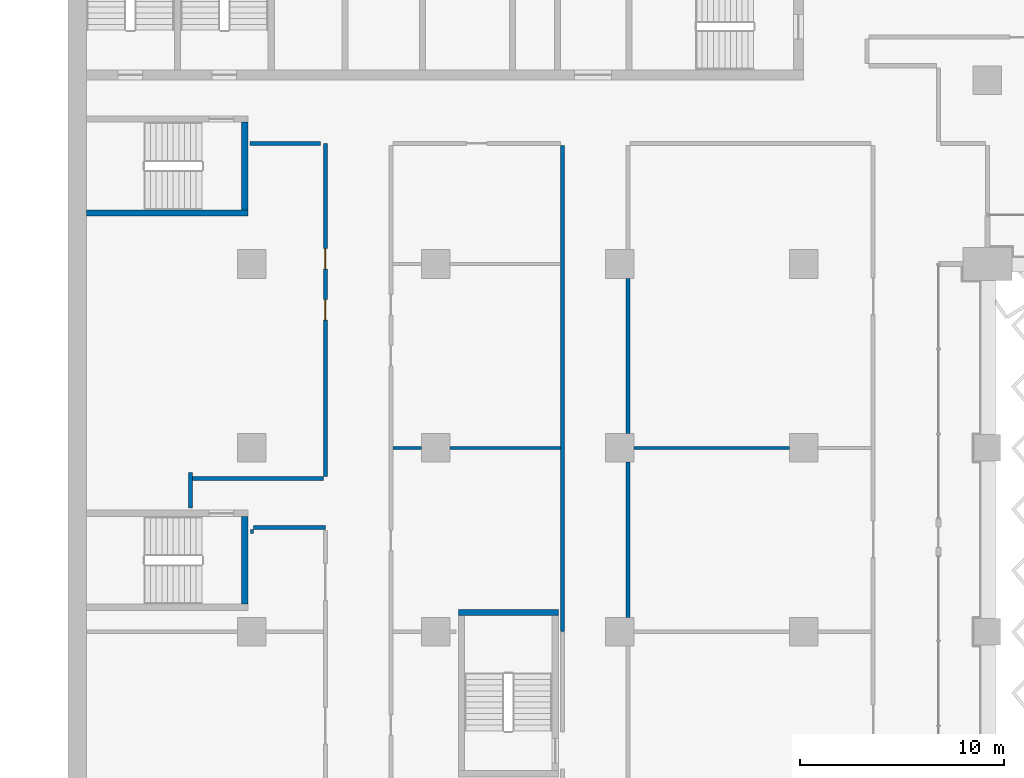
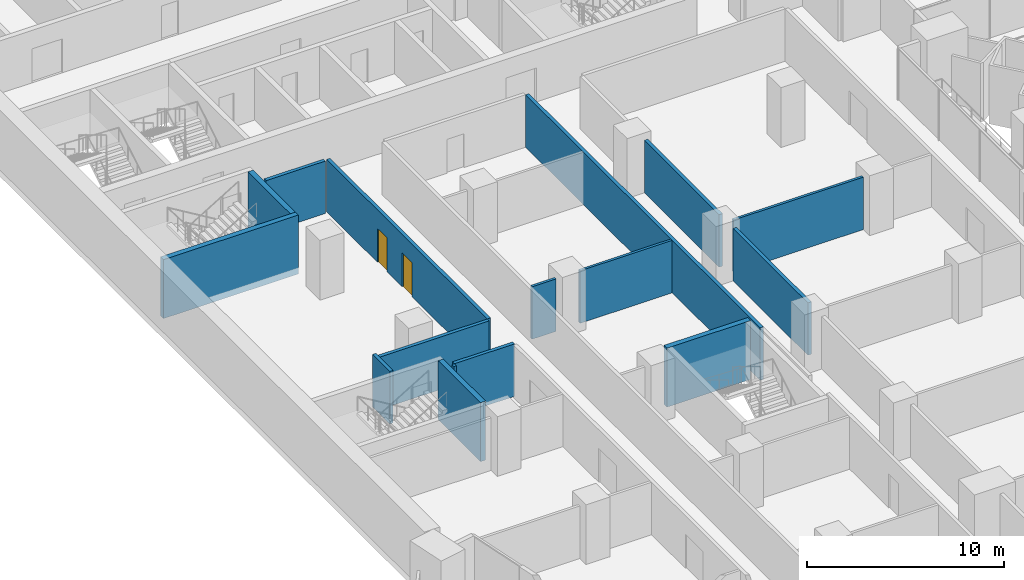
# One storey, part 11 of 28: 16 walls, 2 doors, 2 openings.
"""IFC4 building model written with IfcOpenShell, lengths in metres."""

import ifcopenshell
import ifcopenshell.guid

model = None  # the IFC model being written
_history = None  # IfcOwnerHistory: only IFC2X3 demands one
_inside = {}  # id of a spatial element -> (the spatial element, [elements in it])
_under = {}  # id of a project, library or spatial element -> (it, [spatial elements below it])
_declared = {}  # id of a project -> (the project, [libraries it declares])
_typed = {}  # id of a type object -> (the type object, [elements of that type])
_made_of = {}  # id of a material, layer set ... -> (it, [elements and type objects made of it])


def new_model(schema):
    """Start an empty IFC model of exactly this schema.

    Asked for "IFC4X3", IfcOpenShell would pick the latest addendum, in which some entities
    have other attributes; the version numbers below select the first issue.
    IFC2X3 requires an IfcOwnerHistory on every rooted entity: one is made here for all.
    """
    global model, _history
    if schema == "IFC4X3":
        model = ifcopenshell.file(schema_version=(4, 3, 0, 0))
    else:
        model = ifcopenshell.file(schema=schema)
    _inside.clear()
    _under.clear()
    _declared.clear()
    _typed.clear()
    _made_of.clear()
    _history = None
    if model.schema == "IFC2X3":
        org = make("IfcOrganization", Name="unknown")
        user = make(
            "IfcPersonAndOrganization",
            ThePerson=make("IfcPerson", FamilyName="unknown"),
            TheOrganization=org,
        )
        app = make(
            "IfcApplication",
            ApplicationDeveloper=org,
            Version="unknown",
            ApplicationFullName="unknown",
            ApplicationIdentifier="unknown",
        )
        _history = make(
            "IfcOwnerHistory",
            OwningUser=user,
            OwningApplication=app,
            ChangeAction="ADDED",
            CreationDate=0,
        )
    return model


def make(cls, **values):
    """One entity of the class cls with the attributes given. An attribute that is None is left unset."""
    return model.create_entity(
        cls, **{name: value for name, value in values.items() if value is not None}
    )


def rooted(cls, **values):
    """An entity with a GlobalId (a new one), such as an element, a storey or a relation."""
    return make(cls, GlobalId=ifcopenshell.guid.new(), OwnerHistory=_history, **values)


def si_unit(unit_type, name, prefix=None):
    """IfcSIUnit, for example si_unit("LENGTHUNIT", "METRE", prefix="MILLI")."""
    return make("IfcSIUnit", UnitType=unit_type, Prefix=prefix, Name=name)


def assignment(units):
    """IfcUnitAssignment: the units of a project."""
    return None if units is None else make("IfcUnitAssignment", Units=units)


def point(xyz):
    """IfcCartesianPoint."""
    return None if xyz is None else make("IfcCartesianPoint", Coordinates=xyz)


def direction(xyz):
    """IfcDirection."""
    return None if xyz is None else make("IfcDirection", DirectionRatios=xyz)


def frame(location, z_axis=None, x_axis=None):
    """IfcAxis2Placement3D, a coordinate frame: its origin and axes. An axis left out is left unset."""
    return make(
        "IfcAxis2Placement3D",
        Location=point(location),
        Axis=direction(z_axis),
        RefDirection=direction(x_axis),
    )


def frame_2d(location, x_axis=None):
    """IfcAxis2Placement2D, a coordinate frame in the plane: its origin and x axis."""
    return make(
        "IfcAxis2Placement2D", Location=point(location), RefDirection=direction(x_axis)
    )


def origin():
    """The frame at (0, 0, 0) with its axes left unset."""
    return frame((0.0, 0.0, 0.0))


def place(relative_to, where):
    """IfcLocalPlacement: puts the frame where relative to a parent placement (None: the world)."""
    return make(
        "IfcLocalPlacement", PlacementRelTo=relative_to, RelativePlacement=where
    )


def context(
    kind, dimensions, precision=None, world=None, true_north=None, identifier=None
):
    """IfcGeometricRepresentationContext, for example the 3D "Model" context."""
    return make(
        "IfcGeometricRepresentationContext",
        ContextIdentifier=identifier,
        ContextType=kind,
        CoordinateSpaceDimension=dimensions,
        Precision=precision,
        WorldCoordinateSystem=world,
        TrueNorth=true_north,
    )


def subcontext(parent, identifier, kind, view, scale=None):
    """IfcGeometricRepresentationSubContext, for example "Body" below "Model"."""
    return make(
        "IfcGeometricRepresentationSubContext",
        ContextIdentifier=identifier,
        ContextType=kind,
        ParentContext=parent,
        TargetScale=scale,
        TargetView=view,
    )


def project(units=None, contexts=None):
    """IfcProject with its units and contexts."""
    return rooted(
        "IfcProject",
        Name="project",
        RepresentationContexts=contexts,
        UnitsInContext=assignment(units),
    )


def spatial(cls, under=None, at=None, **own):
    """A site, building, storey or space (cls), placed at a placement, below another one or the project."""
    s = rooted(cls, ObjectPlacement=at, **own)
    if under is not None:
        _under.setdefault(under.id(), (under, []))[1].append(s)
    return s


def profile(cls, at=None, kind="AREA", **sizes):
    """A parametric profile (cls). Its sizes go by their IFC names, for example OverallWidth=200.0."""
    return make(cls, ProfileType=kind, Position=at, **sizes)


def rectangle(**sizes):
    """IfcRectangleProfileDef."""
    return profile("IfcRectangleProfileDef", **sizes)


def extrude(swept, where, along, depth):
    """IfcExtrudedAreaSolid: the profile swept, set in the frame where, extruded along a direction by depth."""
    return make(
        "IfcExtrudedAreaSolid",
        SweptArea=swept,
        Position=where,
        ExtrudedDirection=direction(along),
        Depth=depth,
    )


def shape(context_of_items, identifier, shape_type, items):
    """IfcShapeRepresentation: the items that make up one representation, for example the "Body"."""
    return make(
        "IfcShapeRepresentation",
        ContextOfItems=context_of_items,
        RepresentationIdentifier=identifier,
        RepresentationType=shape_type,
        Items=items,
    )


def material(Name=None, Category=None):
    """IfcMaterial."""
    return make("IfcMaterial", Name=Name, Category=Category)


def layer(
    of_material, thickness, ventilated=None, Name=None, Category=None, Priority=None
):
    """IfcMaterialLayer: one layer of a wall or slab, of a material (None: an air gap)."""
    return make(
        "IfcMaterialLayer",
        Material=of_material,
        LayerThickness=thickness,
        IsVentilated=ventilated,
        Name=Name,
        Category=Category,
        Priority=Priority,
    )


def layer_set(layers, Name=None):
    """IfcMaterialLayerSet."""
    return make("IfcMaterialLayerSet", MaterialLayers=layers, LayerSetName=Name)


def made_of(thing, what):
    """Note that an element or type object is made of a material, layer set ...; save() writes the relation."""
    if what is not None:
        _made_of.setdefault(what.id(), (what, []))[1].append(thing)
    return thing


def type_object(cls, material=None, **own):
    """A type object (cls), such as IfcWallType, which elements share."""
    return made_of(rooted(cls, **own), material)


def element(
    cls,
    number,
    at=None,
    inside=None,
    cuts=None,
    type_object=None,
    material=None,
    context=None,
    identifier="Body",
    shape_type=None,
    held_by="IfcProductDefinitionShape",
    body=None,
    shapes=None,
    **own,
):
    """One element of the class cls, such as IfcWall. Its Tag is "e" and its number.

    at: its placement. inside: the storey or other place that contains it. cuts: it is an
    opening in that element (IfcRelVoidsElement). A single representation is given by context,
    identifier, shape_type and body (its items); several are given by shapes. held_by: the class
    of the entity that holds the representations. save() writes the other relations.
    """
    e = rooted(cls, Tag="e%d" % number, ObjectPlacement=at, **own)
    if body is not None:
        shapes = [shape(context, identifier, shape_type, body)]
    if shapes is not None:
        e.Representation = make(held_by, Representations=shapes)
    if inside is not None:
        _inside.setdefault(inside.id(), (inside, []))[1].append(e)
    if cuts is not None:
        rooted(
            "IfcRelVoidsElement", RelatingBuildingElement=cuts, RelatedOpeningElement=e
        )
    if type_object is not None:
        _typed.setdefault(type_object.id(), (type_object, []))[1].append(e)
    return made_of(e, material)


def fill(opening, filler):
    """IfcRelFillsElement: the door or window that sits in an opening."""
    return rooted(
        "IfcRelFillsElement",
        RelatingOpeningElement=opening,
        RelatedBuildingElement=filler,
    )


def aggregate(whole, parts):
    """IfcRelAggregates: a whole, such as a stair, and the parts it consists of."""
    return rooted("IfcRelAggregates", RelatingObject=whole, RelatedObjects=parts)


def save(model, path):
    """Write the relations noted so far, then the file.

    IfcRelAggregates (storeys below a building ...), IfcRelContainedInSpatialStructure (elements
    in a storey), IfcRelDefinesByType, IfcRelAssociatesMaterial and IfcRelDeclares: one each for
    every whole, place, type object, material and project.
    """
    for whole, parts in _under.values():
        aggregate(whole, parts)
    for where, things in _inside.values():
        rooted(
            "IfcRelContainedInSpatialStructure",
            RelatedElements=things,
            RelatingStructure=where,
        )
    for kind, things in _typed.values():
        rooted("IfcRelDefinesByType", RelatedObjects=things, RelatingType=kind)
    for what, things in _made_of.values():
        rooted("IfcRelAssociatesMaterial", RelatedObjects=things, RelatingMaterial=what)
    for by, libraries in _declared.values():
        rooted("IfcRelDeclares", RelatingContext=by, RelatedDefinitions=libraries)
    model.write(path)


model = new_model("IFC4")

# Units and contexts
model_context = context("Model", 3, precision=1e-05, world=origin(), true_north=direction((0.0, 1.0)))
body_context = subcontext(model_context, "Body", "Model", "MODEL_VIEW")
ifc_project = project(units=[si_unit("LENGTHUNIT", "METRE"), si_unit("AREAUNIT", "SQUARE_METRE"), si_unit("VOLUMEUNIT", "CUBIC_METRE"), si_unit("PLANEANGLEUNIT", "RADIAN"), si_unit("MASSUNIT", "GRAM", prefix="KILO")], contexts=[model_context])

# Site, building, storey
site_placement = place(None, origin())
site = spatial("IfcSite", under=ifc_project, at=site_placement, CompositionType="ELEMENT")
building_placement = place(site_placement, origin())
building = spatial("IfcBuilding", under=site, at=building_placement, Name="Hunhe Ridgeline Campus", CompositionType="ELEMENT")
storey_placement = place(building_placement, frame((0.0, 0.0, 76.5)))
storey = spatial("IfcBuildingStorey", under=building, at=storey_placement, Name="L18", CompositionType="ELEMENT", Elevation=76.5)

# Walls
ifc_material_1 = material(Name="Gypsum board partition")
ifc_layer_1 = layer(ifc_material_1, 0.199951171875)
ifc_layer_set_1 = layer_set([ifc_layer_1], Name="Corridor partition 200 gypsum board on steel studs")
wall_type_1 = type_object("IfcWallType", Name="Corridor partition 200 gypsum board on steel studs", PredefinedType="PARTITIONING", material=ifc_layer_set_1)
wall_1_placement = place(storey_placement, frame((12.60009765625, 41.10009765625, 0.0), z_axis=(0.0, 0.0, 1.0), x_axis=(-1.0, 0.0, 0.0)))
element("IfcWall", 1, at=wall_1_placement, inside=storey, type_object=wall_type_1, Name="F-L18-wall-020", PredefinedType="PARTITIONING", context=body_context, shape_type="SweptSolid", body=[
    extrude(rectangle(XDim=3.525146484375, YDim=0.199951171875, at=frame_2d((1.7626953125, 0.0))), origin(), (0.0, 0.0, 1.0), 3.25),
])
wall_2_placement = place(storey_placement, frame((6.10009765625, 43.5, 0.0), z_axis=(0.0, 0.0, 1.0), x_axis=(1.0, 0.0, 0.0)))
element("IfcWall", 2, at=wall_2_placement, inside=storey, type_object=wall_type_1, Name="F-L18-wall-021", PredefinedType="PARTITIONING", context=body_context, shape_type="SweptSolid", body=[
    extrude(rectangle(XDim=6.39990234375, YDim=0.199951171875, at=frame_2d((3.199951171875, 0.0))), origin(), (0.0, 0.0, 1.0), 3.25),
])
wall_3_placement = place(storey_placement, frame((12.365234375, 59.89990234375, 0.0), z_axis=(0.0, 0.0, 1.0), x_axis=(-1.0, 0.0, 0.0)))
element("IfcWall", 3, at=wall_3_placement, inside=storey, type_object=wall_type_1, Name="F-L18-wall-028", PredefinedType="PARTITIONING", context=body_context, shape_type="SweptSolid", body=[
    extrude(rectangle(XDim=3.461181640625, YDim=0.199951171875, at=frame_2d((1.73046875, 0.0))), origin(), (0.0, 0.0, 1.0), 3.25),
])
wall_4_placement = place(storey_placement, frame((6.0, 42.053955078125, 0.0), z_axis=(0.0, 0.0, 1.0), x_axis=(0.0, 1.0, 0.0)))
element("IfcWall", 4, at=wall_4_placement, inside=storey, type_object=wall_type_1, Name="F-L18-wall-045", PredefinedType="PARTITIONING", context=body_context, shape_type="SweptSolid", body=[
    extrude(rectangle(XDim=1.74609375, YDim=0.199951171875, at=frame_2d((0.873046875, 0.0))), origin(), (0.0, 0.0, 1.0), 3.25),
])

# Wall, openings, doors
wall_5_placement = place(storey_placement, frame((12.60009765625, 43.60009765625, 0.0), z_axis=(0.0, 0.0, 1.0), x_axis=(0.0, 1.0, 0.0)))
wall_5 = element("IfcWall", 5, at=wall_5_placement, inside=storey, type_object=wall_type_1, Name="F-L18-wall-048", PredefinedType="PARTITIONING", context=body_context, shape_type="SweptSolid", body=[
    extrude(rectangle(XDim=16.2998046875, YDim=0.199951171875, at=frame_2d((8.14990234375, 0.0))), origin(), (0.0, 0.0, 1.0), 3.25),
])
opening_1_placement = place(wall_5_placement, frame((7.64990234375, 0.0, 0.0)))
opening_1 = element("IfcOpeningElement", 6, at=opening_1_placement, cuts=wall_5, Name="Opening RD1-015", PredefinedType="OPENING", context=body_context, shape_type="SweptSolid", body=[
    extrude(rectangle(XDim=1.0, YDim=2.10009765625, at=frame_2d((0.5, 1.050048828125))), frame((0.0, 0.10009765625, 0.0), z_axis=(0.0, -1.0, 0.0), x_axis=(1.0, 0.0, 0.0)), (0.0, 0.0, 1.0), 0.199951171875),
])
opening_2_placement = place(wall_5_placement, frame((10.14990234375, 0.0, 0.0)))
opening_2 = element("IfcOpeningElement", 7, at=opening_2_placement, cuts=wall_5, Name="Opening RD1-018", PredefinedType="OPENING", context=body_context, shape_type="SweptSolid", body=[
    extrude(rectangle(XDim=1.0, YDim=2.10009765625, at=frame_2d((0.5, 1.050048828125))), frame((0.0, 0.10009765625, 0.0), z_axis=(0.0, -1.0, 0.0), x_axis=(1.0, 0.0, 0.0)), (0.0, 0.0, 1.0), 0.199951171875),
])
ifc_material_2 = material(Name="Timber door leaf", Category="wood")
door_type = type_object("IfcDoorType", Name="Single fire door 1000x2100 timber FD60", OperationType="NOTDEFINED", PredefinedType="DOOR", material=ifc_material_2)
door_1_placement = place(opening_1_placement, frame((1.0, 0.0, 0.0), z_axis=(0.0, 0.0, 1.0), x_axis=(-1.0, 0.0, 0.0)))
door_1 = element("IfcDoor", 8, at=door_1_placement, inside=storey, type_object=door_type, Name="F-L18-door-015", OperationType="SINGLE_SWING_RIGHT", OverallHeight=2.10009765625, OverallWidth=1.0, PredefinedType="DOOR", context=body_context, shape_type="SweptSolid", body=[
    extrude(rectangle(XDim=1.0, YDim=2.10009765625, at=frame_2d((0.5, 1.050048828125))), frame((0.0, 0.02490234375, 0.0), z_axis=(0.0, -1.0, 0.0), x_axis=(1.0, 0.0, 0.0)), (0.0, 0.0, 1.0), 0.050048828125),
])
fill(opening_1, door_1)
door_2_placement = place(opening_2_placement, frame((1.0, 0.0, 0.0), z_axis=(0.0, 0.0, 1.0), x_axis=(-1.0, 0.0, 0.0)))
door_2 = element("IfcDoor", 9, at=door_2_placement, inside=storey, type_object=door_type, Name="F-L18-door-018", OperationType="SINGLE_SWING_LEFT", OverallHeight=2.10009765625, OverallWidth=1.0, PredefinedType="DOOR", context=body_context, shape_type="SweptSolid", body=[
    extrude(rectangle(XDim=1.0, YDim=2.10009765625, at=frame_2d((0.5, 1.050048828125))), frame((0.0, 0.02490234375, 0.0), z_axis=(0.0, -1.0, 0.0), x_axis=(1.0, 0.0, 0.0)), (0.0, 0.0, 1.0), 0.050048828125),
])
fill(opening_2, door_2)

# Walls
wall_6_placement = place(storey_placement, frame((24.199951171875, 36.0, 0.0), z_axis=(0.0, 0.0, 1.0), x_axis=(0.0, 1.0, 0.0)))
element("IfcWall", 10, at=wall_6_placement, inside=storey, type_object=wall_type_1, Name="F-L18-wall-052", PredefinedType="PARTITIONING", context=body_context, shape_type="SweptSolid", body=[
    extrude(rectangle(XDim=23.800048828125, YDim=0.199951171875, at=frame_2d((11.89990234375, 0.0))), origin(), (0.0, 0.0, 1.0), 3.25),
])
for number, where, z_axis, x_axis, name in (
    (11, (27.39990234375, 44.300048828125, 0.0), (0.0, 0.0, 1.0), (0.0, -1.0, 0.0), "F-L18-wall-057"),
    (12, (27.39990234375, 53.300048828125, 0.0), (0.0, 0.0, 1.0), (0.0, -1.0, 0.0), "F-L18-wall-058"),
):
    element("IfcWall", number, at=place(storey_placement, frame(where, z_axis=z_axis, x_axis=x_axis)), inside=storey, type_object=wall_type_1, Name=name, PredefinedType="PARTITIONING", context=body_context, shape_type="SweptSolid", body=[
        extrude(rectangle(XDim=7.60009765625, YDim=0.199951171875, at=frame_2d((3.800048828125, 0.0))), origin(), (0.0, 0.0, 1.0), 3.25),
    ])
ifc_layer_2 = layer(ifc_material_1, 0.14990234375)
ifc_layer_set_2 = layer_set([ifc_layer_2], Name="Room partition 150 gypsum board on steel studs")
wall_type_2 = type_object("IfcWallType", Name="Room partition 150 gypsum board on steel studs", PredefinedType="PARTITIONING", material=ifc_layer_set_2)
wall_7_placement = place(storey_placement, frame((15.89990234375, 45.0, 0.0), z_axis=(0.0, 0.0, 1.0), x_axis=(1.0, 0.0, 0.0)))
element("IfcWall", 13, at=wall_7_placement, inside=storey, type_object=wall_type_2, Name="F-L18-wall-022", PredefinedType="PARTITIONING", context=body_context, shape_type="SweptSolid", body=[
    extrude(rectangle(XDim=1.400146484375, YDim=0.14990234375, at=frame_2d((0.7001953125, 0.0))), origin(), (0.0, 0.0, 1.0), 3.25),
])
wall_8_placement = place(storey_placement, frame((18.699951171875, 45.0, 0.0), z_axis=(0.0, 0.0, 1.0), x_axis=(1.0, 0.0, 0.0)))
element("IfcWall", 14, at=wall_8_placement, inside=storey, type_object=wall_type_2, Name="F-L18-wall-023", PredefinedType="PARTITIONING", context=body_context, shape_type="SweptSolid", body=[
    extrude(rectangle(XDim=5.400146484375, YDim=0.14990234375, at=frame_2d((2.7001953125, 0.0))), origin(), (0.0, 0.0, 1.0), 3.25),
])
wall_9_placement = place(storey_placement, frame((27.699951171875, 45.0, 0.0), z_axis=(0.0, 0.0, 1.0), x_axis=(1.0, 0.0, 0.0)))
element("IfcWall", 15, at=wall_9_placement, inside=storey, type_object=wall_type_2, Name="F-L18-wall-024", PredefinedType="PARTITIONING", context=body_context, shape_type="SweptSolid", body=[
    extrude(rectangle(XDim=7.60009765625, YDim=0.14990234375, at=frame_2d((3.800048828125, 0.0))), origin(), (0.0, 0.0, 1.0), 3.25),
])
wall_10_placement = place(storey_placement, frame((9.0, 41.0, 0.0), z_axis=(0.0, 0.0, 1.0), x_axis=(0.0, -1.0, 0.0)))
element("IfcWall", 16, at=wall_10_placement, inside=storey, type_object=wall_type_2, Name="F-L18-wall-046", PredefinedType="PARTITIONING", context=body_context, shape_type="SweptSolid", body=[
    extrude(rectangle(XDim=0.199951171875, YDim=0.14990234375, at=frame_2d((0.10009765625, 0.0))), origin(), (0.0, 0.0, 1.0), 3.25),
])
ifc_material_3 = material(Name="Concrete C80", Category="concrete")
ifc_layer_3 = layer(ifc_material_3, 0.300048828125)
ifc_layer_set_3 = layer_set([ifc_layer_3], Name="Stair wall 300 reinforced concrete C80")
wall_type_3 = type_object("IfcWallType", Name="Stair wall 300 reinforced concrete C80", PredefinedType="SOLIDWALL", material=ifc_layer_set_3)
wall_11_placement = place(storey_placement, frame((19.10009765625, 36.949951171875, -0.39990234375), z_axis=(0.0, 0.0, 1.0), x_axis=(1.0, 0.0, 0.0)))
element("IfcWall", 17, at=wall_11_placement, inside=storey, type_object=wall_type_3, Name="L18 core wall 2", PredefinedType="SOLIDWALL", context=body_context, shape_type="SweptSolid", body=[
    extrude(rectangle(XDim=4.89990234375, YDim=0.300048828125, at=frame_2d((2.449951171875, 0.0))), origin(), (0.0, 0.0, 1.0), 3.64990234375),
])
wall_12_placement = place(storey_placement, frame((0.89990234375, 56.5, -0.39990234375), z_axis=(0.0, 0.0, 1.0), x_axis=(1.0, 0.0, 0.0)))
element("IfcWall", 18, at=wall_12_placement, inside=storey, type_object=wall_type_3, Name="L18 core wall 5", PredefinedType="SOLIDWALL", context=body_context, shape_type="SweptSolid", body=[
    extrude(rectangle(XDim=7.900146484375, YDim=0.300048828125, at=frame_2d((3.9501953125, 0.0))), origin(), (0.0, 0.0, 1.0), 3.64990234375),
])
wall_13_placement = place(storey_placement, frame((8.64990234375, 37.35009765625, -0.39990234375), z_axis=(0.0, 0.0, 1.0), x_axis=(0.0, 1.0, 0.0)))
element("IfcWall", 19, at=wall_13_placement, inside=storey, type_object=wall_type_3, Name="L18 core wall 39", PredefinedType="SOLIDWALL", context=body_context, shape_type="SweptSolid", body=[
    extrude(rectangle(XDim=4.2998046875, YDim=0.300048828125, at=frame_2d((2.14990234375, 0.0))), origin(), (0.0, 0.0, 1.0), 3.64990234375),
])
wall_14_placement = place(storey_placement, frame((8.64990234375, 56.64990234375, -0.39990234375), z_axis=(0.0, 0.0, 1.0), x_axis=(0.0, 1.0, 0.0)))
element("IfcWall", 20, at=wall_14_placement, inside=storey, type_object=wall_type_3, Name="L18 core wall 40", PredefinedType="SOLIDWALL", context=body_context, shape_type="SweptSolid", body=[
    extrude(rectangle(XDim=4.300048828125, YDim=0.300048828125, at=frame_2d((2.14990234375, 0.0))), origin(), (0.0, 0.0, 1.0), 3.64990234375),
])

save(model, "model.ifc")
